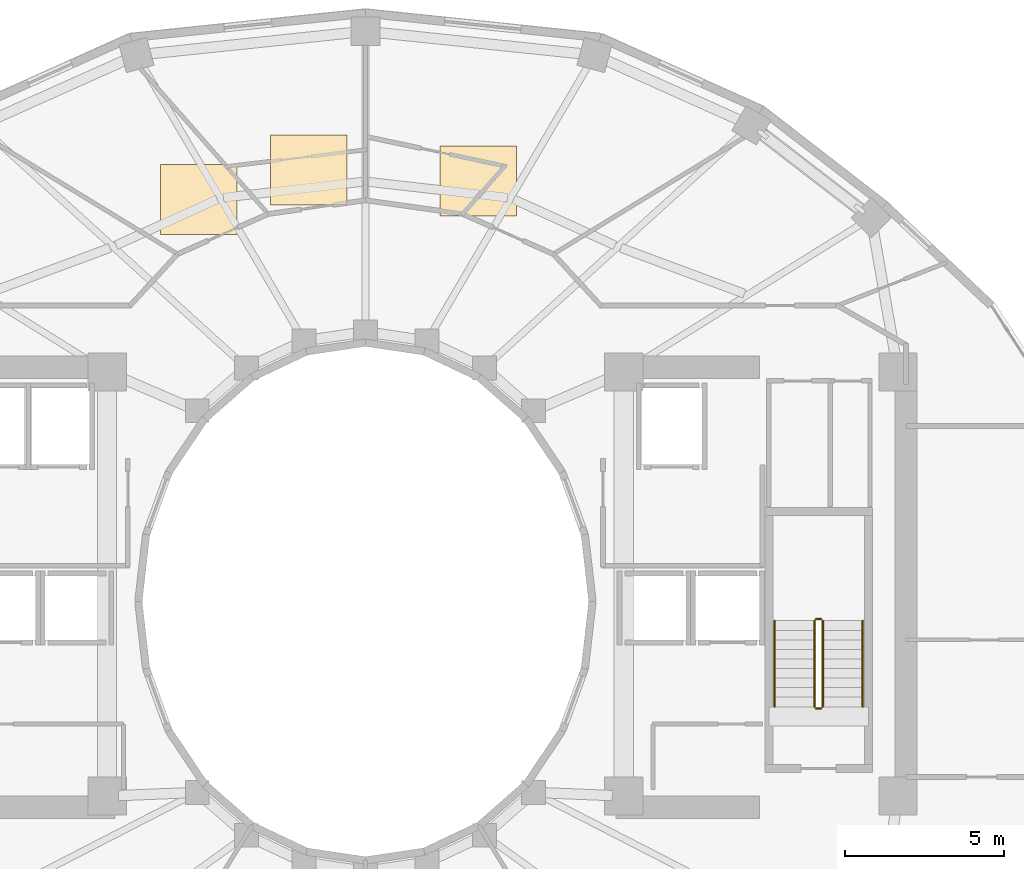
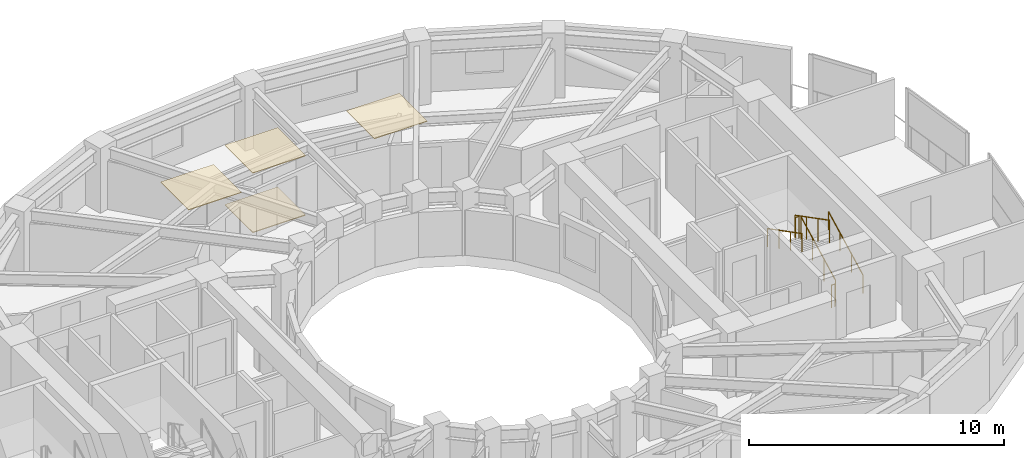
# One storey, part 12 of 13: 6 railings, 4 coverings.
"""IFC4 building model written with IfcOpenShell, lengths in metres."""

from ifc_helpers import new_model, si_unit, direction, frame, origin, origin_2d, place, context, subcontext, project, spatial, polyline, circle, outline, extrude, material, layer, layer_set, type_object, element, save


model = new_model("IFC4")

# Units and contexts
model_context = context("Model", 3, precision=1e-05, world=origin(), true_north=direction((0.0, 1.0)))
body_context = subcontext(model_context, "Body", "Model", "MODEL_VIEW")
ifc_project = project(units=[si_unit("LENGTHUNIT", "METRE"), si_unit("AREAUNIT", "SQUARE_METRE"), si_unit("VOLUMEUNIT", "CUBIC_METRE"), si_unit("PLANEANGLEUNIT", "RADIAN"), si_unit("MASSUNIT", "GRAM", prefix="KILO")], contexts=[model_context])

# Site, building, storey
site_placement = place(None, origin())
site = spatial("IfcSite", under=ifc_project, at=site_placement, CompositionType="ELEMENT")
building_placement = place(site_placement, origin())
building = spatial("IfcBuilding", under=site, at=building_placement, Name="Solvane Sanctuary Tower", CompositionType="ELEMENT")
storey_placement = place(building_placement, frame((0.0, 0.0, 152.89990234375)))
storey = spatial("IfcBuildingStorey", under=building, at=storey_placement, Name="L46", CompositionType="ELEMENT", Elevation=152.89990234375)

# Coverings
ifc_material_1 = material(Name="Acoustic Gypsum Partition Board")
ifc_layer_1 = layer(ifc_material_1, 0.02490234375, Name="Acoustic Gypsum Partition Board")
ifc_layer_set_1 = layer_set([ifc_layer_1], Name="Acoustic Gypsum Partition Board")
covering_type_1 = type_object("IfcCoveringType", Name="Covering CLG-ACOUST", PredefinedType="CEILING", material=ifc_layer_set_1)
covering_1_placement = place(storey_placement, frame((0.0, 0.0, 2.85009765625)))
element("IfcCovering", 1, at=covering_1_placement, inside=storey, type_object=covering_type_1, Name="L46 Unit Acoustic Ceiling Panel 1", PredefinedType="CEILING", context=body_context, shape_type="SweptSolid", body=[
    extrude(outline(polyline([(34.3330078125, 35.0849609375), (36.73291015625, 35.0849609375), (36.73291015625, 37.284912109375), (34.3330078125, 37.284912109375), (34.3330078125, 35.0849609375)])), origin(), (0.0, 0.0, 1.0), 0.030029296875),
])
covering_2_placement = place(storey_placement, frame((0.0, 0.0, 2.85009765625)))
element("IfcCovering", 2, at=covering_2_placement, inside=storey, type_object=covering_type_1, Name="L46 Unit Acoustic Ceiling Panel 2", PredefinedType="CEILING", context=body_context, shape_type="SweptSolid", body=[
    extrude(outline(polyline([(29.01806640625, 35.43310546875), (31.41796875, 35.43310546875), (31.41796875, 37.633056640625), (29.01806640625, 37.633056640625), (29.01806640625, 35.43310546875)])), origin(), (0.0, 0.0, 1.0), 0.030029296875),
])
covering_3_placement = place(storey_placement, frame((0.0, 0.0, 2.85009765625)))
element("IfcCovering", 3, at=covering_3_placement, inside=storey, type_object=covering_type_1, Name="L46 Unit Acoustic Ceiling Panel 3", PredefinedType="CEILING", context=body_context, shape_type="SweptSolid", body=[
    extrude(outline(polyline([(25.575927734375, 34.510986328125), (27.97607421875, 34.510986328125), (27.97607421875, 36.7109375), (25.575927734375, 36.7109375), (25.575927734375, 34.510986328125)])), origin(), (0.0, 0.0, 1.0), 0.030029296875),
])
ifc_material_2 = material(Name="Ceramic Tile Finish")
ifc_layer_2 = layer(ifc_material_2, 0.030029296875, Name="Ceramic Tile Finish")
ifc_layer_set_2 = layer_set([ifc_layer_2], Name="Ceramic Tile Finish")
covering_type_2 = type_object("IfcCoveringType", Name="Covering FLR-TERRAZZO", PredefinedType="FLOORING", material=ifc_layer_set_2)
covering_4_placement = place(storey_placement, origin())
element("IfcCovering", 4, at=covering_4_placement, inside=storey, type_object=covering_type_2, Name="L46 Unit Terrazzo Inlay 2", PredefinedType="FLOORING", context=body_context, shape_type="SweptSolid", body=[
    extrude(outline(polyline([(29.01806640625, 35.43310546875), (31.41796875, 35.43310546875), (31.41796875, 37.633056640625), (29.01806640625, 37.633056640625), (29.01806640625, 35.43310546875)])), origin(), (0.0, 0.0, 1.0), 0.03515625),
])

# Railings
ifc_material_3 = material(Name="Architectural Stainless Steel 316", Category="steel")
railing_type_1 = type_object("IfcRailingType", Name="Railing GR-BALC-1150", PredefinedType="BALUSTRADE", material=ifc_material_3)
railing_1_placement = place(storey_placement, frame((46.340087890625, 19.699951171875, 0.155029296875)))
element("IfcRailing", 5, at=railing_1_placement, inside=storey, type_object=railing_type_1, Name="L46 ST-2 stair guard 1", PredefinedType="BALUSTRADE", context=body_context, shape_type="SweptSolid", body=[
    extrude(circle(Radius=0.02392578125, at=origin_2d()), frame((0.0, 0.0, 1.076171875), z_axis=(0.0, 0.888419900624, 0.459031676658), x_axis=(-1.0, 0.0, 0.0)), (0.0, 0.0, 1.0), 3.0390625),
    extrude(circle(Radius=0.02099609375, at=origin_2d()), origin(), (0.0, 0.0, 1.0), 1.052001953125),
    extrude(circle(Radius=0.02099609375, at=origin_2d()), frame((0.0, 0.89990234375, 0.465087890625)), (0.0, 0.0, 1.0), 1.052001953125),
    extrude(circle(Radius=0.02099609375, at=origin_2d()), frame((0.0, 1.800048828125, 0.929931640625)), (0.0, 0.0, 1.0), 1.052001953125),
    extrude(circle(Radius=0.02099609375, at=origin_2d()), frame((0.0, 2.699951171875, 1.39501953125)), (0.0, 0.0, 1.0), 1.052001953125),
])
railing_2_placement = place(storey_placement, frame((46.2900390625, 22.449951171875, 1.550048828125)))
element("IfcRailing", 6, at=railing_2_placement, inside=storey, type_object=railing_type_1, Name="L46 ST-2 stair guard 2", PredefinedType="BALUSTRADE", context=body_context, shape_type="SweptSolid", body=[
    extrude(circle(Radius=0.02392578125, at=origin_2d()), frame((0.0, 0.0, 1.076171875), z_axis=(-1.0, 0.0, 0.0), x_axis=(0.0, -1.0, 0.0)), (0.0, 0.0, 1.0), 0.16015625),
    extrude(circle(Radius=0.02099609375, at=origin_2d()), origin(), (0.0, 0.0, 1.0), 1.052001953125),
    extrude(circle(Radius=0.02099609375, at=origin_2d()), frame((-0.16015625, 0.0, 0.0)), (0.0, 0.0, 1.0), 1.052001953125),
])
railing_3_placement = place(storey_placement, frame((46.080078125, 22.39990234375, 1.705078125)))
element("IfcRailing", 7, at=railing_3_placement, inside=storey, type_object=railing_type_1, Name="L46 ST-2 stair guard 3", PredefinedType="BALUSTRADE", context=body_context, shape_type="SweptSolid", body=[
    extrude(circle(Radius=0.02392578125, at=origin_2d()), frame((0.0, 0.0, 1.076171875), z_axis=(0.0, -0.888419900624, 0.459031676658), x_axis=(1.0, 0.0, 0.0)), (0.0, 0.0, 1.0), 3.0390625),
    extrude(circle(Radius=0.02099609375, at=origin_2d()), origin(), (0.0, 0.0, 1.0), 1.052001953125),
    extrude(circle(Radius=0.02099609375, at=origin_2d()), frame((0.0, -0.89990234375, 0.465087890625)), (0.0, 0.0, 1.0), 1.052001953125),
    extrude(circle(Radius=0.02099609375, at=origin_2d()), frame((0.0, -1.800048828125, 0.929931640625)), (0.0, 0.0, 1.0), 1.052001953125),
    extrude(circle(Radius=0.02099609375, at=origin_2d()), frame((0.0, -2.699951171875, 1.39501953125)), (0.0, 0.0, 1.0), 1.052001953125),
])
railing_4_placement = place(storey_placement, frame((46.2900390625, 19.64990234375, 0.0)))
element("IfcRailing", 8, at=railing_4_placement, inside=storey, type_object=railing_type_1, Name="L46 ST-2 stair guard 4", PredefinedType="BALUSTRADE", context=body_context, shape_type="SweptSolid", body=[
    extrude(circle(Radius=0.02392578125, at=origin_2d()), frame((0.0, 0.0, 1.076171875), z_axis=(-1.0, 0.0, 0.0), x_axis=(0.0, -1.0, 0.0)), (0.0, 0.0, 1.0), 0.16015625),
    extrude(circle(Radius=0.02099609375, at=origin_2d()), origin(), (0.0, 0.0, 1.0), 1.052001953125),
    extrude(circle(Radius=0.02099609375, at=origin_2d()), frame((-0.16015625, 0.0, 0.0)), (0.0, 0.0, 1.0), 1.052001953125),
])
railing_type_2 = type_object("IfcRailingType", Name="Railing HR-STAIR-920", PredefinedType="HANDRAIL", material=ifc_material_3)
railing_5_placement = place(storey_placement, frame((47.590087890625, 19.699951171875, 0.155029296875)))
element("IfcRailing", 9, at=railing_5_placement, inside=storey, type_object=railing_type_2, Name="L46 ST-2 stair handrail 1", PredefinedType="HANDRAIL", context=body_context, shape_type="SweptSolid", body=[
    extrude(circle(Radius=0.02392578125, at=origin_2d()), frame((0.0, 0.0, 0.8759765625), z_axis=(0.0, 0.888419900624, 0.459031676658), x_axis=(-1.0, 0.0, 0.0)), (0.0, 0.0, 1.0), 3.0390625),
    extrude(circle(Radius=0.02099609375, at=origin_2d()), origin(), (0.0, 0.0, 1.0), 0.851806640625),
    extrude(circle(Radius=0.02099609375, at=origin_2d()), frame((0.0, 0.89990234375, 0.465087890625)), (0.0, 0.0, 1.0), 0.851806640625),
    extrude(circle(Radius=0.02099609375, at=origin_2d()), frame((0.0, 1.800048828125, 0.929931640625)), (0.0, 0.0, 1.0), 0.851806640625),
    extrude(circle(Radius=0.02099609375, at=origin_2d()), frame((0.0, 2.699951171875, 1.39501953125)), (0.0, 0.0, 1.0), 0.851806640625),
])
railing_6_placement = place(storey_placement, frame((44.830078125, 22.39990234375, 1.705078125)))
element("IfcRailing", 10, at=railing_6_placement, inside=storey, type_object=railing_type_2, Name="L46 ST-2 stair handrail 2", PredefinedType="HANDRAIL", context=body_context, shape_type="SweptSolid", body=[
    extrude(circle(Radius=0.02392578125, at=origin_2d()), frame((0.0, 0.0, 0.8759765625), z_axis=(0.0, -0.888419900624, 0.459031676658), x_axis=(1.0, 0.0, 0.0)), (0.0, 0.0, 1.0), 3.0390625),
    extrude(circle(Radius=0.02099609375, at=origin_2d()), origin(), (0.0, 0.0, 1.0), 0.851806640625),
    extrude(circle(Radius=0.02099609375, at=origin_2d()), frame((0.0, -0.89990234375, 0.465087890625)), (0.0, 0.0, 1.0), 0.851806640625),
    extrude(circle(Radius=0.02099609375, at=origin_2d()), frame((0.0, -1.800048828125, 0.929931640625)), (0.0, 0.0, 1.0), 0.851806640625),
    extrude(circle(Radius=0.02099609375, at=origin_2d()), frame((0.0, -2.699951171875, 1.39501953125)), (0.0, 0.0, 1.0), 0.851806640625),
])

save(model, "model.ifc")
